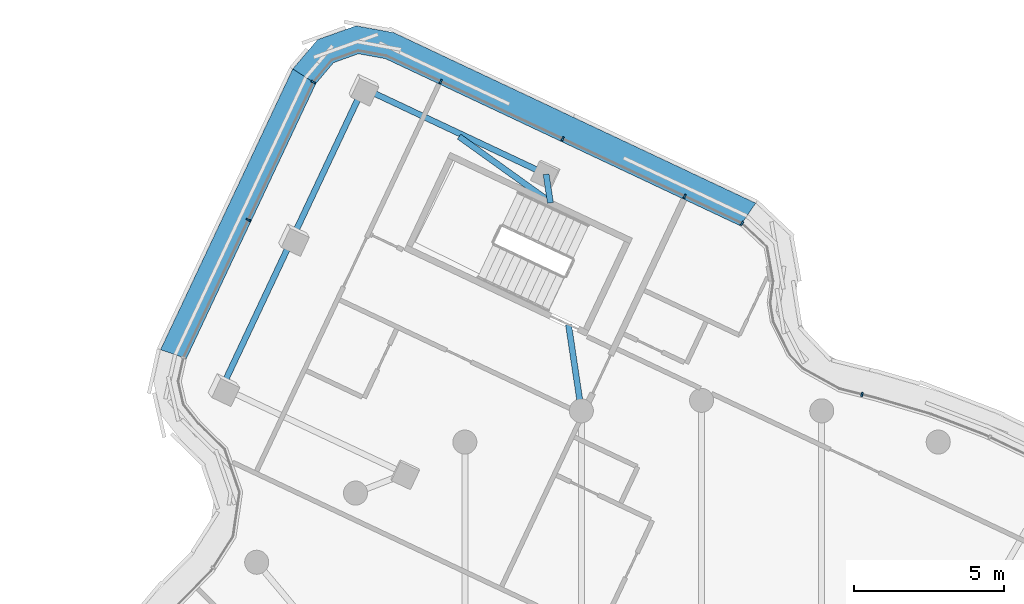
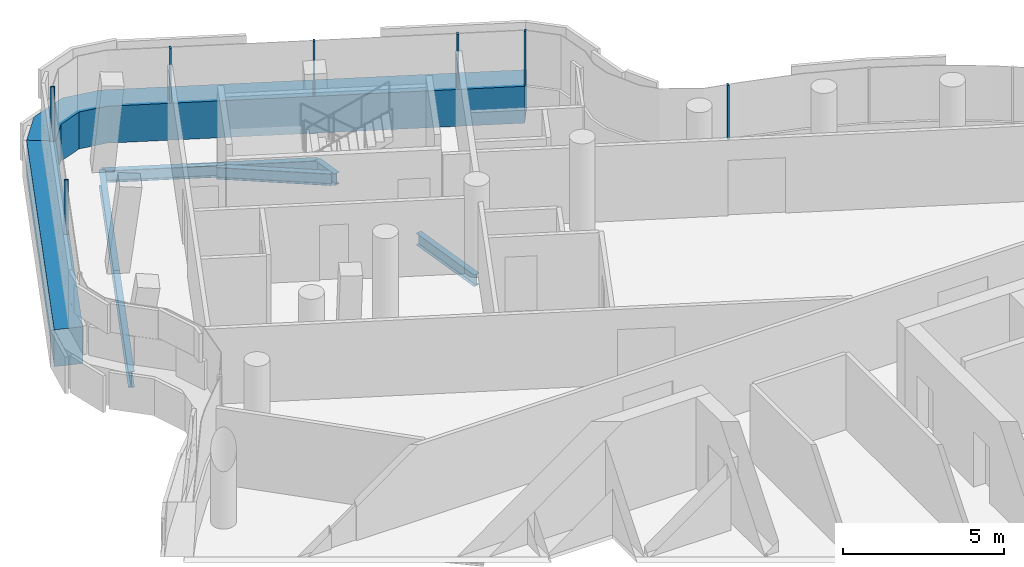
# One storey, part 10 of 21: 9 members, 6 beams, 3 elements without a shape of their own.
"""IFC4 building model written with IfcOpenShell, lengths in metres."""

from ifc_helpers import new_model, si_unit, direction, frame, origin, origin_2d, place, context, subcontext, project, spatial, polyline, rectangle, i_section, outline, extrude, material, layer, layer_set, material_profile, profile_set, type_object, element, aggregate, save


model = new_model("IFC4")

# Units and contexts
model_context = context("Model", 3, precision=1e-05, world=origin(), true_north=direction((0.0, 1.0)))
body_context = subcontext(model_context, "Body", "Model", "MODEL_VIEW")
ifc_project = project(units=[si_unit("LENGTHUNIT", "METRE"), si_unit("AREAUNIT", "SQUARE_METRE"), si_unit("VOLUMEUNIT", "CUBIC_METRE"), si_unit("PLANEANGLEUNIT", "RADIAN"), si_unit("MASSUNIT", "GRAM", prefix="KILO")], contexts=[model_context])

# Site, building, storey
site_placement = place(None, origin())
site = spatial("IfcSite", under=ifc_project, at=site_placement, CompositionType="ELEMENT")
building_placement = place(site_placement, origin())
building = spatial("IfcBuilding", under=site, at=building_placement, Name="Tamarind Cross Interchange Tower", CompositionType="ELEMENT")
storey_placement = place(building_placement, frame((0.0, 0.0, 267.60009765625)))
storey = spatial("IfcBuildingStorey", under=building, at=storey_placement, Name="L68", CompositionType="ELEMENT", Elevation=267.60009765625)

# Beams
ifc_material_1 = material(Name="Steel Q355B", Category="steel")
ifc_material_profile_1 = material_profile(ifc_material_1, i_section(OverallWidth=0.198974609375, OverallDepth=0.446044921875, WebThickness=0.008056640625, FlangeThickness=0.011962890625, FilletRadius=0.012939453125, at=origin_2d()), Name="HN 446x199x8x12")
ifc_profile_set_1 = profile_set([ifc_material_profile_1], Name="Steel Q355B")
beam_type_1 = type_object("IfcBeamType", Name="Composite beam HN 446x199x8x12 Q355B", PredefinedType="BEAM", material=ifc_profile_set_1)
beam_1_placement = place(storey_placement, frame((-11.246826171875, 33.37744140625, -0.363037109375), z_axis=(0.904648267193, -0.426159022742, 0.0), x_axis=(0.426159022742, 0.904648267193, 0.0)))
element("IfcBeam", 1, at=beam_1_placement, inside=storey, type_object=beam_type_1, Name="Beam N-edgeem4", PredefinedType="BEAM", context=body_context, shape_type="SweptSolid", body=[
    extrude(i_section(OverallWidth=0.198974609375, OverallDepth=0.446044921875, WebThickness=0.008056640625, FlangeThickness=0.011962890625, FilletRadius=0.012939453125, at=origin_2d()), origin(), (0.0, 0.0, 1.0), 6.722900390625),
])
beam_2_placement = place(storey_placement, frame((-5.1650390625, 30.512451171875, -0.363037109375), z_axis=(0.147533291269, -0.989057090348, 0.0), x_axis=(0.989057090348, 0.147533291269, 0.0)))
element("IfcBeam", 2, at=beam_2_placement, inside=storey, type_object=beam_type_1, Name="Beam N-linkemt0", PredefinedType="BEAM", context=body_context, shape_type="SweptSolid", body=[
    extrude(i_section(OverallWidth=0.198974609375, OverallDepth=0.446044921875, WebThickness=0.008056640625, FlangeThickness=0.011962890625, FilletRadius=0.012939453125, at=origin_2d()), origin(), (0.0, 0.0, 1.0), 0.96142578125),
])
beam_3_placement = place(storey_placement, frame((-4.421142578125, 25.51953125, -0.363037109375), z_axis=(0.14729903903, -0.989092004366, 0.0), x_axis=(0.989092004366, 0.14729903903, 0.0)))
element("IfcBeam", 3, at=beam_3_placement, inside=storey, type_object=beam_type_1, Name="Beam N-linkemt1", PredefinedType="BEAM", context=body_context, shape_type="SweptSolid", body=[
    extrude(i_section(OverallWidth=0.198974609375, OverallDepth=0.446044921875, WebThickness=0.008056640625, FlangeThickness=0.011962890625, FilletRadius=0.012939453125, at=origin_2d()), origin(), (0.0, 0.0, 1.0), 2.900634765625),
])
beam_4_placement = place(storey_placement, frame((-5.140380859375, 29.671875, -0.363037109375), z_axis=(-0.812463321017, 0.58301230862, 0.0), x_axis=(-0.58301230862, -0.812463321017, 0.0)))
element("IfcBeam", 4, at=beam_4_placement, inside=storey, type_object=beam_type_1, Name="Beam N-tr0s1", PredefinedType="BEAM", context=body_context, shape_type="SweptSolid", body=[
    extrude(i_section(OverallWidth=0.198974609375, OverallDepth=0.446044921875, WebThickness=0.008056640625, FlangeThickness=0.011962890625, FilletRadius=0.012939453125, at=origin_2d()), origin(), (0.0, 0.0, 1.0), 3.590087890625),
])
ifc_material_profile_2 = material_profile(ifc_material_1, i_section(OverallWidth=0.198974609375, OverallDepth=0.595947265625, WebThickness=0.010009765625, FlangeThickness=0.014892578125, FilletRadius=0.012939453125, at=origin_2d()), Name="HN 596x199x10x15")
ifc_profile_set_2 = profile_set([ifc_material_profile_2], Name="Steel Q355B")
beam_type_2 = type_object("IfcBeamType", Name="Composite beam HN 596x199x10x15 Q355B", PredefinedType="BEAM", material=ifc_profile_set_2)
beam_5_placement = place(storey_placement, frame((-11.246826171875, 33.37744140625, -0.43798828125), z_axis=(-0.426121931878, -0.904665738918, 0.0), x_axis=(0.904665738918, -0.426121931878, 0.0)))
element("IfcBeam", 5, at=beam_5_placement, inside=storey, type_object=beam_type_2, Name="Beam N-tip0", PredefinedType="BEAM", context=body_context, shape_type="SweptSolid", body=[
    extrude(i_section(OverallWidth=0.198974609375, OverallDepth=0.595947265625, WebThickness=0.010009765625, FlangeThickness=0.014892578125, FilletRadius=0.012939453125, at=origin_2d()), origin(), (0.0, 0.0, 1.0), 5.500244140625),
])
beam_6_placement = place(storey_placement, frame((-13.590576171875, 28.401611328125, -0.43798828125), z_axis=(-0.426139043855, -0.904657678518, 0.0), x_axis=(0.904657678518, -0.426139043855, 0.0)))
element("IfcBeam", 6, at=beam_6_placement, inside=storey, type_object=beam_type_2, Name="Beam N-tip1", PredefinedType="BEAM", context=body_context, shape_type="SweptSolid", body=[
    extrude(i_section(OverallWidth=0.198974609375, OverallDepth=0.595947265625, WebThickness=0.010009765625, FlangeThickness=0.014892578125, FilletRadius=0.012939453125, at=origin_2d()), origin(), (0.0, 0.0, 1.0), 5.5),
])

# Curtain wall, member
ifc_material_2 = material(Name="Aluminium 6063-T6", Category="aluminium")
ifc_layer = layer(ifc_material_2, 0.139892578125)
ifc_layer_set = layer_set([ifc_layer], Name="Aluminium 6063-T6")
curtain_wall_type = type_object("IfcCurtainWallType", Name="Hotel curtain wall, 4.5 m bays", PredefinedType="NOTDEFINED", material=ifc_layer_set)
curtain_wall_1_placement = place(storey_placement, origin())
curtain_wall_1 = element("IfcCurtainWall", 7, at=curtain_wall_1_placement, inside=storey, type_object=curtain_wall_type, Name="CWS-L68-00", PredefinedType="NOTDEFINED")
ifc_material_3 = material(Name="Aluminium and insulated spandrel panel", Category="aluminium")
member_type_1 = type_object("IfcMemberType", Name="Floor-edge blade transom", PredefinedType="USERDEFINED", material=ifc_material_3)
member_1_placement = place(storey_placement, origin())
member_1 = element("IfcMember", 8, at=member_1_placement, type_object=member_type_1, Name="CWT-L68-00", ObjectType="TRANSOM", PredefinedType="USERDEFINED", context=body_context, shape_type="SweptSolid", body=[
    extrude(outline(polyline([(-12.820068359375, 33.522216796875), (-17.121826171875, 24.389892578125), (-17.978759765625, 24.6826171875), (-13.583740234375, 34.0126953125), (-12.820068359375, 33.522216796875)])), origin(), (0.0, 0.0, 1.0), 1.39990234375),
])

curtain_wall_2_placement = place(storey_placement, origin())
curtain_wall_2 = element("IfcCurtainWall", 9, at=curtain_wall_2_placement, inside=storey, type_object=curtain_wall_type, Name="CWS-L68-02", PredefinedType="NOTDEFINED")
member_2_placement = place(storey_placement, origin())
member_2 = element("IfcMember", 10, at=member_2_placement, type_object=member_type_1, Name="CWT-L68-02", ObjectType="TRANSOM", PredefinedType="USERDEFINED", context=body_context, shape_type="SweptSolid", body=[
    extrude(outline(polyline([(1.285888671875, 28.800537109375), (-10.505126953125, 34.3544921875), (-11.406005859375, 34.516845703125), (-12.22900390625, 34.220947265625), (-12.820068359375, 33.522216796875), (-13.583740234375, 34.0126953125), (-12.760498046875, 34.986328125), (-11.483642578125, 35.445556640625), (-10.22900390625, 35.21923828125), (1.799560546875, 29.55322265625), (1.285888671875, 28.800537109375)])), origin(), (0.0, 0.0, 1.0), 1.39990234375),
])

# Member
ifc_material_profile_3 = material_profile(ifc_material_2, rectangle(XDim=0.06005859375, YDim=0.139892578125, at=origin_2d()), Name="Mullion CW2")
ifc_profile_set_3 = profile_set([ifc_material_profile_3], Name="Aluminium 6063-T6")
member_type_2 = type_object("IfcMemberType", Name="Mullion CW2", PredefinedType="MULLION", material=ifc_profile_set_3)
member_3_placement = place(storey_placement, frame((-12.905029296875, 33.57666015625, 1.39990234375), z_axis=(0.0, 0.0, 1.0), x_axis=(-0.540569270981, -0.84129950866, 0.0)))
member_3 = element("IfcMember", 11, at=member_3_placement, type_object=member_type_2, Name="CWM-L68-00-00", PredefinedType="MULLION", context=body_context, shape_type="SweptSolid", body=[
    extrude(rectangle(XDim=0.06005859375, YDim=0.139892578125, at=origin_2d()), origin(), (0.0, 0.0, 1.0), 2.06005859375),
])

member_4_placement = place(storey_placement, frame((-15.06103515625, 28.99951171875, 1.39990234375), z_axis=(0.0, 0.0, 1.0), x_axis=(-0.426133004548, -0.904660523309, 0.0)))
member_4 = element("IfcMember", 12, at=member_4_placement, type_object=member_type_2, Name="CWM-L68-00-01", PredefinedType="MULLION", context=body_context, shape_type="SweptSolid", body=[
    extrude(rectangle(XDim=0.06005859375, YDim=0.139892578125, at=origin_2d()), origin(), (0.0, 0.0, 1.0), 2.06005859375),
])

aggregate(curtain_wall_1, [member_3, member_4, member_1])

# Curtain wall, member
curtain_wall_3_placement = place(storey_placement, origin())
curtain_wall_3 = element("IfcCurtainWall", 13, at=curtain_wall_3_placement, inside=storey, type_object=curtain_wall_type, Name="CWS-L68-01", PredefinedType="NOTDEFINED")
member_5_placement = place(storey_placement, frame((5.333984375, 23.19482421875, 1.39990234375), z_axis=(0.0, 0.0, 1.0), x_axis=(-0.970165151039, 0.242445003473, 0.0)))
member_5 = element("IfcMember", 14, at=member_5_placement, type_object=member_type_2, Name="CWM-L68-01-29", PredefinedType="MULLION", context=body_context, shape_type="SweptSolid", body=[
    extrude(rectangle(XDim=0.06005859375, YDim=0.139892578125, at=origin_2d()), origin(), (0.0, 0.0, 1.0), 2.06005859375),
])
aggregate(curtain_wall_3, [member_5])

# Member
member_6_placement = place(storey_placement, frame((1.3427734375, 28.884033203125, 1.39990234375), z_axis=(0.0, 0.0, 1.0), x_axis=(-0.825914881224, 0.563794828793, 0.0)))
member_6 = element("IfcMember", 15, at=member_6_placement, type_object=member_type_2, Name="CWM-L68-02-00", PredefinedType="MULLION", context=body_context, shape_type="SweptSolid", body=[
    extrude(rectangle(XDim=0.06005859375, YDim=0.139892578125, at=origin_2d()), origin(), (0.0, 0.0, 1.0), 2.06005859375),
])

member_7_placement = place(storey_placement, frame((-0.560546875, 29.780517578125, 1.39990234375), z_axis=(0.0, 0.0, 1.0), x_axis=(-0.904660523309, 0.426133004548, 0.0)))
member_7 = element("IfcMember", 16, at=member_7_placement, type_object=member_type_2, Name="CWM-L68-02-01", PredefinedType="MULLION", context=body_context, shape_type="SweptSolid", body=[
    extrude(rectangle(XDim=0.06005859375, YDim=0.139892578125, at=origin_2d()), origin(), (0.0, 0.0, 1.0), 2.06005859375),
])

member_8_placement = place(storey_placement, frame((-4.61328125, 31.689697265625, 1.39990234375), z_axis=(0.0, 0.0, 1.0), x_axis=(-0.904660523309, 0.426133004548, 0.0)))
member_8 = element("IfcMember", 17, at=member_8_placement, type_object=member_type_2, Name="CWM-L68-02-02", PredefinedType="MULLION", context=body_context, shape_type="SweptSolid", body=[
    extrude(rectangle(XDim=0.06005859375, YDim=0.139892578125, at=origin_2d()), origin(), (0.0, 0.0, 1.0), 2.06005859375),
])

member_9_placement = place(storey_placement, frame((-8.666259765625, 33.598876953125, 1.39990234375), z_axis=(0.0, 0.0, 1.0), x_axis=(-0.904660523309, 0.426133004548, 0.0)))
member_9 = element("IfcMember", 18, at=member_9_placement, type_object=member_type_2, Name="CWM-L68-02-03", PredefinedType="MULLION", context=body_context, shape_type="SweptSolid", body=[
    extrude(rectangle(XDim=0.06005859375, YDim=0.139892578125, at=origin_2d()), origin(), (0.0, 0.0, 1.0), 2.06005859375),
])

aggregate(curtain_wall_2, [member_6, member_7, member_8, member_9, member_2])

save(model, "model.ifc")
